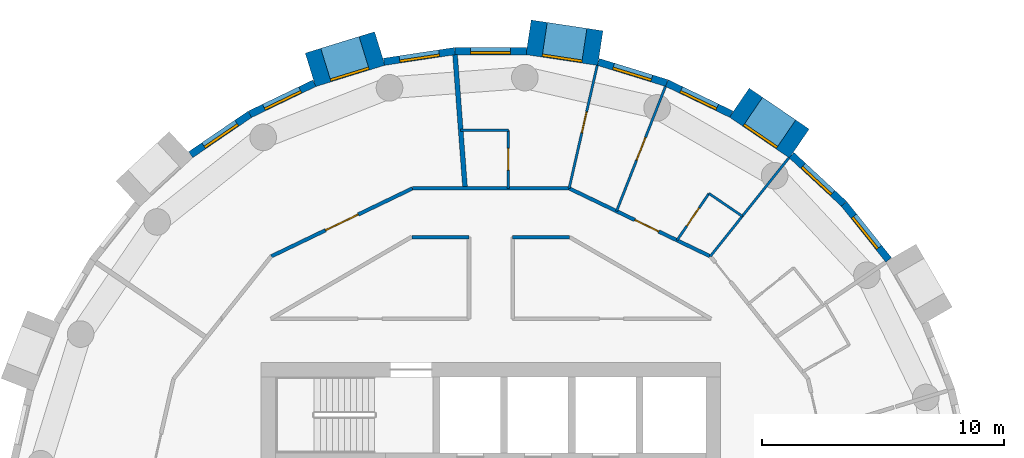
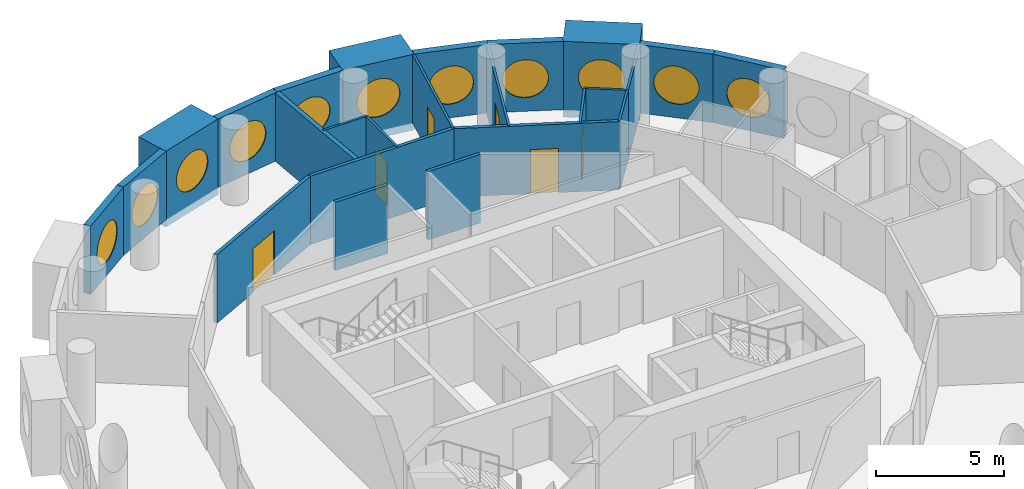
# One storey, part 11 of 13: 25 walls, 11 windows, 6 doors, 17 openings.
"""IFC4 building model written with IfcOpenShell, lengths in metres."""

from ifc_helpers import new_model, si_unit, direction, frame, frame_2d, origin, origin_2d, place, context, subcontext, project, spatial, rectangle, circle, extrude, material, layer, layer_set, type_object, element, fill, save


model = new_model("IFC4")

# Units and contexts
model_context = context("Model", 3, precision=1e-05, world=origin(), true_north=direction((0.0, 1.0)))
body_context = subcontext(model_context, "Body", "Model", "MODEL_VIEW")
ifc_project = project(units=[si_unit("LENGTHUNIT", "METRE"), si_unit("AREAUNIT", "SQUARE_METRE"), si_unit("VOLUMEUNIT", "CUBIC_METRE"), si_unit("PLANEANGLEUNIT", "RADIAN"), si_unit("MASSUNIT", "GRAM", prefix="KILO")], contexts=[model_context])

# Site, building, storey
site_placement = place(None, origin())
site = spatial("IfcSite", under=ifc_project, at=site_placement, CompositionType="ELEMENT")
building_placement = place(site_placement, origin())
building = spatial("IfcBuilding", under=site, at=building_placement, Name="Tracery Tower", CompositionType="ELEMENT")
storey_placement = place(building_placement, frame((0.0, 0.0, 256.199951171875)))
storey = spatial("IfcBuildingStorey", under=building, at=storey_placement, Name="L66", CompositionType="ELEMENT", Elevation=256.199951171875)

# Wall, opening, window
ifc_material_1 = material(Name="Precast concrete C50/60", Category="concrete")
ifc_layer_1 = layer(ifc_material_1, 1.449951171875)
ifc_layer_set_1 = layer_set([ifc_layer_1], Name="Deep-set bay unit 3000 x 3600, slab edge 350")
wall_type_1 = type_object("IfcWallType", Name="Deep-set bay unit 3000 x 3600, slab edge 350", PredefinedType="ELEMENTEDWALL", material=ifc_layer_set_1)
wall_1_placement = place(storey_placement, frame((12.754150390625, 16.044189453125, -0.349853515625), z_axis=(0.0, 0.0, 1.0), x_axis=(-0.826246281157, 0.563309047392, 0.0)))
wall_1 = element("IfcWall", 1, at=wall_1_placement, inside=storey, type_object=wall_type_1, Name="Deep-set bay unit 7 at L66", PredefinedType="ELEMENTEDWALL", context=body_context, shape_type="SweptSolid", body=[
    extrude(rectangle(XDim=3.0, YDim=1.449951171875, at=frame_2d((1.5, 0.0))), origin(), (0.0, 0.0, 1.0), 3.599853515625),
])
opening_1_placement = place(wall_1_placement, frame((1.5, 0.0, 1.89990234375)))
opening_1 = element("IfcOpeningElement", 2, at=opening_1_placement, cuts=wall_1, Name="Opening WN1", PredefinedType="OPENING", context=body_context, shape_type="SweptSolid", body=[
    extrude(circle(Radius=0.9000244140625, at=origin_2d()), frame((0.0, 0.73486328125, 0.0), z_axis=(0.0, -1.0, 0.0), x_axis=(1.0, 0.0, 0.0)), (0.0, 0.0, 1.0), 1.469970703125),
])
ifc_material_2 = material(Name="Aluminium frame with tinted double glazing", Category="aluminium")
window_type = type_object("IfcWindowType", Name="Round window 1800", PartitioningType="SINGLE_PANEL", PredefinedType="WINDOW", material=ifc_material_2)
window_1_placement = place(opening_1_placement, origin())
window_1 = element("IfcWindow", 3, at=window_1_placement, inside=storey, type_object=window_type, Name="Round window 7 at L66", OverallHeight=1.800048828125, OverallWidth=1.800048828125, PartitioningType="SINGLE_PANEL", PredefinedType="WINDOW", context=body_context, shape_type="SweptSolid", body=[
    extrude(circle(Radius=0.9000244140625, at=origin_2d()), frame((0.0, 0.69482421875, 0.0), z_axis=(0.0, -1.0, 0.0), x_axis=(1.0, 0.0, 0.0)), (0.0, 0.0, 1.0), 0.10009765625),
])
fill(opening_1, window_1)

wall_2_placement = place(storey_placement, frame((4.52978515625, 19.9892578125, -0.349853515625), z_axis=(0.0, 0.0, 1.0), x_axis=(-0.988836445254, 0.149004981587, 0.0)))
wall_2 = element("IfcWall", 4, at=wall_2_placement, inside=storey, type_object=wall_type_1, Name="Deep-set bay unit 10 at L66", PredefinedType="ELEMENTEDWALL", context=body_context, shape_type="SweptSolid", body=[
    extrude(rectangle(XDim=3.0, YDim=1.449951171875, at=frame_2d((1.5, 0.0))), origin(), (0.0, 0.0, 1.0), 3.599853515625),
])
opening_2_placement = place(wall_2_placement, frame((1.5, 0.0, 1.89990234375)))
opening_2 = element("IfcOpeningElement", 5, at=opening_2_placement, cuts=wall_2, Name="Opening WN1", PredefinedType="OPENING", context=body_context, shape_type="SweptSolid", body=[
    extrude(circle(Radius=0.9000244140625, at=origin_2d()), frame((0.0, 0.73486328125, 0.0), z_axis=(0.0, -1.0, 0.0), x_axis=(1.0, 0.0, 0.0)), (0.0, 0.0, 1.0), 1.469970703125),
])
window_2_placement = place(opening_2_placement, origin())
window_2 = element("IfcWindow", 6, at=window_2_placement, inside=storey, type_object=window_type, Name="Round window 10 at L66", OverallHeight=1.800048828125, OverallWidth=1.800048828125, PartitioningType="SINGLE_PANEL", PredefinedType="WINDOW", context=body_context, shape_type="SweptSolid", body=[
    extrude(circle(Radius=0.9000244140625, at=origin_2d()), frame((0.0, 0.69482421875, 0.0), z_axis=(0.0, -1.0, 0.0), x_axis=(1.0, 0.0, 0.0)), (0.0, 0.0, 1.0), 0.10009765625),
])
fill(opening_2, window_2)

wall_3_placement = place(storey_placement, frame((-4.591796875, 19.97509765625, -0.349853515625), z_axis=(0.0, 0.0, 1.0), x_axis=(-0.955571139978, -0.294760574774, 0.0)))
wall_3 = element("IfcWall", 7, at=wall_3_placement, inside=storey, type_object=wall_type_1, Name="Deep-set bay unit 13 at L66", PredefinedType="ELEMENTEDWALL", context=body_context, shape_type="SweptSolid", body=[
    extrude(rectangle(XDim=3.0, YDim=1.449951171875, at=frame_2d((1.5, 0.0))), origin(), (0.0, 0.0, 1.0), 3.599853515625),
])
opening_3_placement = place(wall_3_placement, frame((1.5, 0.0, 1.89990234375)))
opening_3 = element("IfcOpeningElement", 8, at=opening_3_placement, cuts=wall_3, Name="Opening WN1", PredefinedType="OPENING", context=body_context, shape_type="SweptSolid", body=[
    extrude(circle(Radius=0.9000244140625, at=origin_2d()), frame((0.0, 0.73486328125, 0.0), z_axis=(0.0, -1.0, 0.0), x_axis=(1.0, 0.0, 0.0)), (0.0, 0.0, 1.0), 1.469970703125),
])
window_3_placement = place(opening_3_placement, origin())
window_3 = element("IfcWindow", 9, at=window_3_placement, inside=storey, type_object=window_type, Name="Round window 13 at L66", OverallHeight=1.800048828125, OverallWidth=1.800048828125, PartitioningType="SINGLE_PANEL", PredefinedType="WINDOW", context=body_context, shape_type="SweptSolid", body=[
    extrude(circle(Radius=0.9000244140625, at=origin_2d()), frame((0.0, 0.69482421875, 0.0), z_axis=(0.0, -1.0, 0.0), x_axis=(1.0, 0.0, 0.0)), (0.0, 0.0, 1.0), 0.10009765625),
])
fill(opening_3, window_3)

ifc_material_3 = material(Name="Precast concrete C50/60", Category="concrete")
ifc_layer_2 = layer(ifc_material_3, 0.300048828125)
ifc_layer_set_2 = layer_set([ifc_layer_2], Name="Facade panel 3000 x 3250")
wall_type_2 = type_object("IfcWallType", Name="Facade panel 3000 x 3250", PredefinedType="SOLIDWALL", material=ifc_layer_set_2)
wall_4_placement = place(storey_placement, frame((16.45068359375, 11.234375, 0.0), z_axis=(0.0, 0.0, 1.0), x_axis=(-0.623498236992, 0.781824755599, 0.0)))
wall_4 = element("IfcWall", 10, at=wall_4_placement, inside=storey, type_object=wall_type_2, Name="Facade panel 5 at L66", PredefinedType="SOLIDWALL", context=body_context, shape_type="SweptSolid", body=[
    extrude(rectangle(XDim=2.962158203125, YDim=0.300048828125, at=frame_2d((1.48095703125, 0.0))), origin(), (0.0, 0.0, 1.0), 3.25),
])
opening_4_placement = place(wall_4_placement, frame((1.48095703125, 0.0, 1.5498046875)))
opening_4 = element("IfcOpeningElement", 11, at=opening_4_placement, cuts=wall_4, Name="Opening WN1", PredefinedType="OPENING", context=body_context, shape_type="SweptSolid", body=[
    extrude(circle(Radius=0.9000244140625, at=origin_2d()), frame((0.0, 0.159912109375, 0.0), z_axis=(0.0, -1.0, 0.0), x_axis=(1.0, 0.0, 0.0)), (0.0, 0.0, 1.0), 0.320068359375),
])
window_4_placement = place(opening_4_placement, origin())
window_4 = element("IfcWindow", 12, at=window_4_placement, inside=storey, type_object=window_type, Name="Round window 5 at L66", OverallHeight=1.800048828125, OverallWidth=1.800048828125, PartitioningType="SINGLE_PANEL", PredefinedType="WINDOW", context=body_context, shape_type="SweptSolid", body=[
    extrude(circle(Radius=0.9000244140625, at=origin_2d()), frame((0.0, 0.1201171875, 0.0), z_axis=(0.0, -1.0, 0.0), x_axis=(1.0, 0.0, 0.0)), (0.0, 0.0, 1.0), 0.10009765625),
])
fill(opening_4, window_4)

wall_5_placement = place(storey_placement, frame((14.603759765625, 13.55029296875, 0.0), z_axis=(0.0, 0.0, 1.0), x_axis=(-0.733066412643, 0.680157066165, 0.0)))
wall_5 = element("IfcWall", 13, at=wall_5_placement, inside=storey, type_object=wall_type_2, Name="Facade panel 6 at L66", PredefinedType="SOLIDWALL", context=body_context, shape_type="SweptSolid", body=[
    extrude(rectangle(XDim=2.96240234375, YDim=0.300048828125, at=frame_2d((1.481201171875, 0.0))), origin(), (0.0, 0.0, 1.0), 3.25),
])
opening_5_placement = place(wall_5_placement, frame((1.48095703125, 0.0, 1.5498046875)))
opening_5 = element("IfcOpeningElement", 14, at=opening_5_placement, cuts=wall_5, Name="Opening WN1", PredefinedType="OPENING", context=body_context, shape_type="SweptSolid", body=[
    extrude(circle(Radius=0.9000244140625, at=origin_2d()), frame((0.0, 0.159912109375, 0.0), z_axis=(0.0, -1.0, 0.0), x_axis=(1.0, 0.0, 0.0)), (0.0, 0.0, 1.0), 0.320068359375),
])
window_5_placement = place(opening_5_placement, origin())
window_5 = element("IfcWindow", 15, at=window_5_placement, inside=storey, type_object=window_type, Name="Round window 6 at L66", OverallHeight=1.800048828125, OverallWidth=1.800048828125, PartitioningType="SINGLE_PANEL", PredefinedType="WINDOW", context=body_context, shape_type="SweptSolid", body=[
    extrude(circle(Radius=0.9000244140625, at=origin_2d()), frame((0.0, 0.1201171875, 0.0), z_axis=(0.0, -1.0, 0.0), x_axis=(1.0, 0.0, 0.0)), (0.0, 0.0, 1.0), 0.10009765625),
])
fill(opening_5, window_5)

wall_6_placement = place(storey_placement, frame((9.947021484375, 17.25927734375, 0.0), z_axis=(0.0, 0.0, 1.0), x_axis=(-0.900939615635, 0.433944476838, 0.0)))
wall_6 = element("IfcWall", 16, at=wall_6_placement, inside=storey, type_object=wall_type_2, Name="Facade panel 8 at L66", PredefinedType="SOLIDWALL", context=body_context, shape_type="SweptSolid", body=[
    extrude(rectangle(XDim=2.962158203125, YDim=0.300048828125, at=frame_2d((1.48095703125, 0.0))), origin(), (0.0, 0.0, 1.0), 3.25),
])
opening_6_placement = place(wall_6_placement, frame((1.48095703125, 0.0, 1.5498046875)))
opening_6 = element("IfcOpeningElement", 17, at=opening_6_placement, cuts=wall_6, Name="Opening WN1", PredefinedType="OPENING", context=body_context, shape_type="SweptSolid", body=[
    extrude(circle(Radius=0.9000244140625, at=origin_2d()), frame((0.0, 0.159912109375, 0.0), z_axis=(0.0, -1.0, 0.0), x_axis=(1.0, 0.0, 0.0)), (0.0, 0.0, 1.0), 0.320068359375),
])
window_6_placement = place(opening_6_placement, origin())
window_6 = element("IfcWindow", 18, at=window_6_placement, inside=storey, type_object=window_type, Name="Round window 8 at L66", OverallHeight=1.800048828125, OverallWidth=1.800048828125, PartitioningType="SINGLE_PANEL", PredefinedType="WINDOW", context=body_context, shape_type="SweptSolid", body=[
    extrude(circle(Radius=0.9000244140625, at=origin_2d()), frame((0.0, 0.1201171875, 0.0), z_axis=(0.0, -1.0, 0.0), x_axis=(1.0, 0.0, 0.0)), (0.0, 0.0, 1.0), 0.10009765625),
])
fill(opening_6, window_6)

wall_7_placement = place(storey_placement, frame((7.2783203125, 18.544677734375, 0.0), z_axis=(0.0, 0.0, 1.0), x_axis=(-0.95558635705, 0.294711238707, 0.0)))
wall_7 = element("IfcWall", 19, at=wall_7_placement, inside=storey, type_object=wall_type_2, Name="Facade panel 9 at L66", PredefinedType="SOLIDWALL", context=body_context, shape_type="SweptSolid", body=[
    extrude(rectangle(XDim=2.96240234375, YDim=0.300048828125, at=frame_2d((1.481201171875, 0.0))), origin(), (0.0, 0.0, 1.0), 3.25),
])
opening_7_placement = place(wall_7_placement, frame((1.48095703125, 0.0, 1.5498046875)))
opening_7 = element("IfcOpeningElement", 20, at=opening_7_placement, cuts=wall_7, Name="Opening WN1", PredefinedType="OPENING", context=body_context, shape_type="SweptSolid", body=[
    extrude(circle(Radius=0.9000244140625, at=origin_2d()), frame((0.0, 0.159912109375, 0.0), z_axis=(0.0, -1.0, 0.0), x_axis=(1.0, 0.0, 0.0)), (0.0, 0.0, 1.0), 0.320068359375),
])
window_7_placement = place(opening_7_placement, origin())
window_7 = element("IfcWindow", 21, at=window_7_placement, inside=storey, type_object=window_type, Name="Round window 9 at L66", OverallHeight=1.800048828125, OverallWidth=1.800048828125, PartitioningType="SINGLE_PANEL", PredefinedType="WINDOW", context=body_context, shape_type="SweptSolid", body=[
    extrude(circle(Radius=0.9000244140625, at=origin_2d()), frame((0.0, 0.1201171875, 0.0), z_axis=(0.0, -1.0, 0.0), x_axis=(1.0, 0.0, 0.0)), (0.0, 0.0, 1.0), 0.10009765625),
])
fill(opening_7, window_7)

wall_8_placement = place(storey_placement, frame((1.473388671875, 19.865966796875, 0.0), z_axis=(0.0, 0.0, 1.0), x_axis=(-1.0, 0.0, 0.0)))
wall_8 = element("IfcWall", 22, at=wall_8_placement, inside=storey, type_object=wall_type_2, Name="Facade panel 11 at L66", PredefinedType="SOLIDWALL", context=body_context, shape_type="SweptSolid", body=[
    extrude(rectangle(XDim=2.962158203125, YDim=0.300048828125, at=frame_2d((1.48095703125, 0.0))), origin(), (0.0, 0.0, 1.0), 3.25),
])
opening_8_placement = place(wall_8_placement, frame((1.48095703125, 0.0, 1.5498046875)))
opening_8 = element("IfcOpeningElement", 23, at=opening_8_placement, cuts=wall_8, Name="Opening WN1", PredefinedType="OPENING", context=body_context, shape_type="SweptSolid", body=[
    extrude(circle(Radius=0.9000244140625, at=origin_2d()), frame((0.0, 0.159912109375, 0.0), z_axis=(0.0, -1.0, 0.0), x_axis=(1.0, 0.0, 0.0)), (0.0, 0.0, 1.0), 0.320068359375),
])
window_8_placement = place(opening_8_placement, origin())
window_8 = element("IfcWindow", 24, at=window_8_placement, inside=storey, type_object=window_type, Name="Round window 11 at L66", OverallHeight=1.800048828125, OverallWidth=1.800048828125, PartitioningType="SINGLE_PANEL", PredefinedType="WINDOW", context=body_context, shape_type="SweptSolid", body=[
    extrude(circle(Radius=0.9000244140625, at=origin_2d()), frame((0.0, 0.1201171875, 0.0), z_axis=(0.0, -1.0, 0.0), x_axis=(1.0, 0.0, 0.0)), (0.0, 0.0, 1.0), 0.10009765625),
])
fill(opening_8, window_8)

wall_9_placement = place(storey_placement, frame((-1.48876953125, 19.865966796875, 0.0), z_axis=(0.0, 0.0, 1.0), x_axis=(-0.988835775663, -0.149009425104, 0.0)))
wall_9 = element("IfcWall", 25, at=wall_9_placement, inside=storey, type_object=wall_type_2, Name="Facade panel 12 at L66", PredefinedType="SOLIDWALL", context=body_context, shape_type="SweptSolid", body=[
    extrude(rectangle(XDim=2.962158203125, YDim=0.300048828125, at=frame_2d((1.48095703125, 0.0))), origin(), (0.0, 0.0, 1.0), 3.25),
])
opening_9_placement = place(wall_9_placement, frame((1.48095703125, 0.0, 1.5498046875)))
opening_9 = element("IfcOpeningElement", 26, at=opening_9_placement, cuts=wall_9, Name="Opening WN1", PredefinedType="OPENING", context=body_context, shape_type="SweptSolid", body=[
    extrude(circle(Radius=0.9000244140625, at=origin_2d()), frame((0.0, 0.159912109375, 0.0), z_axis=(0.0, -1.0, 0.0), x_axis=(1.0, 0.0, 0.0)), (0.0, 0.0, 1.0), 0.320068359375),
])
window_9_placement = place(opening_9_placement, origin())
window_9 = element("IfcWindow", 27, at=window_9_placement, inside=storey, type_object=window_type, Name="Round window 12 at L66", OverallHeight=1.800048828125, OverallWidth=1.800048828125, PartitioningType="SINGLE_PANEL", PredefinedType="WINDOW", context=body_context, shape_type="SweptSolid", body=[
    extrude(circle(Radius=0.9000244140625, at=origin_2d()), frame((0.0, 0.1201171875, 0.0), z_axis=(0.0, -1.0, 0.0), x_axis=(1.0, 0.0, 0.0)), (0.0, 0.0, 1.0), 0.10009765625),
])
fill(opening_9, window_9)

wall_10_placement = place(storey_placement, frame((-7.2919921875, 18.5380859375, 0.0), z_axis=(0.0, 0.0, 1.0), x_axis=(-0.90095513435, -0.433912255978, 0.0)))
wall_10 = element("IfcWall", 28, at=wall_10_placement, inside=storey, type_object=wall_type_2, Name="Facade panel 14 at L66", PredefinedType="SOLIDWALL", context=body_context, shape_type="SweptSolid", body=[
    extrude(rectangle(XDim=2.96240234375, YDim=0.300048828125, at=frame_2d((1.481201171875, 0.0))), origin(), (0.0, 0.0, 1.0), 3.25),
])
opening_10_placement = place(wall_10_placement, frame((1.48095703125, 0.0, 1.5498046875)))
opening_10 = element("IfcOpeningElement", 29, at=opening_10_placement, cuts=wall_10, Name="Opening WN1", PredefinedType="OPENING", context=body_context, shape_type="SweptSolid", body=[
    extrude(circle(Radius=0.9000244140625, at=origin_2d()), frame((0.0, 0.159912109375, 0.0), z_axis=(0.0, -1.0, 0.0), x_axis=(1.0, 0.0, 0.0)), (0.0, 0.0, 1.0), 0.320068359375),
])
window_10_placement = place(opening_10_placement, origin())
window_10 = element("IfcWindow", 30, at=window_10_placement, inside=storey, type_object=window_type, Name="Round window 14 at L66", OverallHeight=1.800048828125, OverallWidth=1.800048828125, PartitioningType="SINGLE_PANEL", PredefinedType="WINDOW", context=body_context, shape_type="SweptSolid", body=[
    extrude(circle(Radius=0.9000244140625, at=origin_2d()), frame((0.0, 0.1201171875, 0.0), z_axis=(0.0, -1.0, 0.0), x_axis=(1.0, 0.0, 0.0)), (0.0, 0.0, 1.0), 0.10009765625),
])
fill(opening_10, window_10)

wall_11_placement = place(storey_placement, frame((-9.9609375, 17.252685546875, 0.0), z_axis=(0.0, 0.0, 1.0), x_axis=(-0.826236061068, -0.563324037646, 0.0)))
wall_11 = element("IfcWall", 31, at=wall_11_placement, inside=storey, type_object=wall_type_2, Name="Facade panel 15 at L66", PredefinedType="SOLIDWALL", context=body_context, shape_type="SweptSolid", body=[
    extrude(rectangle(XDim=2.962158203125, YDim=0.300048828125, at=frame_2d((1.48095703125, 0.0))), origin(), (0.0, 0.0, 1.0), 3.25),
])
opening_11_placement = place(wall_11_placement, frame((1.48095703125, 0.0, 1.5498046875)))
opening_11 = element("IfcOpeningElement", 32, at=opening_11_placement, cuts=wall_11, Name="Opening WN1", PredefinedType="OPENING", context=body_context, shape_type="SweptSolid", body=[
    extrude(circle(Radius=0.9000244140625, at=origin_2d()), frame((0.0, 0.159912109375, 0.0), z_axis=(0.0, -1.0, 0.0), x_axis=(1.0, 0.0, 0.0)), (0.0, 0.0, 1.0), 0.320068359375),
])
window_11_placement = place(opening_11_placement, origin())
window_11 = element("IfcWindow", 33, at=window_11_placement, inside=storey, type_object=window_type, Name="Round window 15 at L66", OverallHeight=1.800048828125, OverallWidth=1.800048828125, PartitioningType="SINGLE_PANEL", PredefinedType="WINDOW", context=body_context, shape_type="SweptSolid", body=[
    extrude(circle(Radius=0.9000244140625, at=origin_2d()), frame((0.0, 0.1201171875, 0.0), z_axis=(0.0, -1.0, 0.0), x_axis=(1.0, 0.0, 0.0)), (0.0, 0.0, 1.0), 0.10009765625),
])
fill(opening_11, window_11)

# Wall, opening, door
ifc_material_4 = material(Name="Plasterboard on steel studs", Category="steel")
ifc_layer_3 = layer(ifc_material_4, 0.10009765625)
ifc_layer_set_3 = layer_set([ifc_layer_3], Name="Partition 100 stud")
wall_type_3 = type_object("IfcWallType", Name="Partition 100 stud", PredefinedType="PARTITIONING", material=ifc_layer_set_3)
wall_12_placement = place(storey_placement, frame((5.198974609375, 13.248046875, 0.0), z_axis=(0.0, 0.0, 1.0), x_axis=(0.365334662456, 0.930876245485, 0.0)))
wall_12 = element("IfcWall", 34, at=wall_12_placement, inside=storey, type_object=wall_type_3, Name="Stud partition RC3-057", PredefinedType="PARTITIONING", context=body_context, shape_type="SweptSolid", body=[
    extrude(rectangle(XDim=5.5400390625, YDim=0.10009765625, at=frame_2d((2.77001953125, 0.0))), origin(), (0.0, 0.0, 1.0), 3.25),
])
opening_12_placement = place(wall_12_placement, frame((2.27001953125, 0.0, 0.0)))
opening_12 = element("IfcOpeningElement", 35, at=opening_12_placement, cuts=wall_12, Name="Opening RC3-10", PredefinedType="OPENING", context=body_context, shape_type="SweptSolid", body=[
    extrude(rectangle(XDim=1.0, YDim=2.0400390625, at=frame_2d((0.5, 1.02001953125))), frame((0.0, 0.050048828125, 0.0), z_axis=(0.0, -1.0, 0.0), x_axis=(1.0, 0.0, 0.0)), (0.0, 0.0, 1.0), 0.10009765625),
])
ifc_material_5 = material(Name="Timber door leaf", Category="wood")
door_type_1 = type_object("IfcDoorType", Name="Door communal room 1000", OperationType="NOTDEFINED", PredefinedType="DOOR", material=ifc_material_5)
door_1_placement = place(opening_12_placement, origin())
door_1 = element("IfcDoor", 36, at=door_1_placement, inside=storey, type_object=door_type_1, Name="Communal room door RC3-10", OperationType="SINGLE_SWING_RIGHT", OverallHeight=2.0400390625, OverallWidth=1.0, PredefinedType="DOOR", context=body_context, shape_type="SweptSolid", body=[
    extrude(rectangle(XDim=1.0, YDim=2.0400390625, at=frame_2d((0.5, 1.02001953125))), frame((0.0, 0.02490234375, 0.0), z_axis=(0.0, -1.0, 0.0), x_axis=(1.0, 0.0, 0.0)), (0.0, 0.0, 1.0), 0.050048828125),
])
fill(opening_12, door_1)

# Wall
wall_13_placement = place(storey_placement, frame((10.39892578125, 13.0400390625, 0.0), z_axis=(0.0, 0.0, 1.0), x_axis=(0.62343302941, 0.781876753613, 0.0)))
element("IfcWall", 37, at=wall_13_placement, inside=storey, type_object=wall_type_3, Name="Stud partition RC3-060", PredefinedType="PARTITIONING", context=body_context, shape_type="SweptSolid", body=[
    extrude(rectangle(XDim=3.092529296875, YDim=0.10009765625, at=frame_2d((1.54638671875, 0.0))), origin(), (0.0, 0.0, 1.0), 3.25),
])

# Wall, opening, door
wall_14_placement = place(storey_placement, frame((3.239013671875, 14.19189453125, 0.0), z_axis=(0.0, 0.0, 1.0), x_axis=(0.222612505682, 0.974907007008, 0.0)))
wall_14 = element("IfcWall", 38, at=wall_14_placement, inside=storey, type_object=wall_type_3, Name="Stud partition RC3-061", PredefinedType="PARTITIONING", context=body_context, shape_type="SweptSolid", body=[
    extrude(rectangle(XDim=5.21484375, YDim=0.10009765625, at=frame_2d((2.607421875, 0.0))), origin(), (0.0, 0.0, 1.0), 3.25),
])
opening_13_placement = place(wall_14_placement, frame((2.35302734375, 0.0, 0.0)))
opening_13 = element("IfcOpeningElement", 39, at=opening_13_placement, cuts=wall_14, Name="Opening RC3-14", PredefinedType="OPENING", context=body_context, shape_type="SweptSolid", body=[
    extrude(rectangle(XDim=0.89990234375, YDim=2.10009765625, at=frame_2d((0.449951171875, 1.050048828125))), frame((0.0, 0.050048828125, 0.0), z_axis=(0.0, -1.0, 0.0), x_axis=(1.0, 0.0, 0.0)), (0.0, 0.0, 1.0), 0.10009765625),
])
ifc_material_6 = material(Name="Timber door leaf", Category="wood")
door_type_2 = type_object("IfcDoorType", Name="Door bedroom 900", OperationType="NOTDEFINED", PredefinedType="DOOR", material=ifc_material_6)
door_2_placement = place(opening_13_placement, origin())
door_2 = element("IfcDoor", 40, at=door_2_placement, inside=storey, type_object=door_type_2, Name="Bedroom door RC3-14", OperationType="SINGLE_SWING_RIGHT", OverallHeight=2.10009765625, OverallWidth=0.89990234375, PredefinedType="DOOR", context=body_context, shape_type="SweptSolid", body=[
    extrude(rectangle(XDim=0.89990234375, YDim=2.10009765625, at=frame_2d((0.449951171875, 1.050048828125))), frame((0.0, 0.02490234375, 0.0), z_axis=(0.0, -1.0, 0.0), x_axis=(1.0, 0.0, 0.0)), (0.0, 0.0, 1.0), 0.050048828125),
])
fill(opening_13, door_2)

# Wall
ifc_material_7 = material(Name="Plasterboard on steel studs", Category="steel")
ifc_layer_4 = layer(ifc_material_7, 0.10009765625)
ifc_layer_set_4 = layer_set([ifc_layer_4], Name="Partition 100 wet wall")
wall_type_4 = type_object("IfcWallType", Name="Partition 100 wet wall", PredefinedType="PARTITIONING", material=ifc_layer_set_4)
wall_15_placement = place(storey_placement, frame((9.02001953125, 13.97998046875, 0.0), z_axis=(0.0, 0.0, 1.0), x_axis=(0.826289240924, -0.563246030021, 0.0)))
element("IfcWall", 41, at=wall_15_placement, inside=storey, type_object=wall_type_4, Name="Wet wall RC3-058", PredefinedType="PARTITIONING", context=body_context, shape_type="SweptSolid", body=[
    extrude(rectangle(XDim=1.668701171875, YDim=0.10009765625, at=frame_2d((0.83447265625, 0.0))), origin(), (0.0, 0.0, 1.0), 3.25),
])

# Wall, opening, door
wall_16_placement = place(storey_placement, frame((7.699951171875, 12.0439453125, 0.0), z_axis=(0.0, 0.0, 1.0), x_axis=(0.563349756349, 0.826218525586, 0.0)))
wall_16 = element("IfcWall", 42, at=wall_16_placement, inside=storey, type_object=wall_type_4, Name="Wet wall RC3-059", PredefinedType="PARTITIONING", context=body_context, shape_type="SweptSolid", body=[
    extrude(rectangle(XDim=2.34326171875, YDim=0.10009765625, at=frame_2d((1.171630859375, 0.0))), origin(), (0.0, 0.0, 1.0), 3.25),
])
opening_14_placement = place(wall_16_placement, frame((0.72119140625, 0.0, 0.0)))
opening_14 = element("IfcOpeningElement", 43, at=opening_14_placement, cuts=wall_16, Name="Opening RC3-11", PredefinedType="OPENING", context=body_context, shape_type="SweptSolid", body=[
    extrude(rectangle(XDim=0.89990234375, YDim=2.0, at=frame_2d((0.449951171875, 1.0))), frame((0.0, 0.050048828125, 0.0), z_axis=(0.0, -1.0, 0.0), x_axis=(1.0, 0.0, 0.0)), (0.0, 0.0, 1.0), 0.10009765625),
])
ifc_material_8 = material(Name="Timber door leaf", Category="wood")
door_type_3 = type_object("IfcDoorType", Name="Door shower room 900", OperationType="NOTDEFINED", PredefinedType="DOOR", material=ifc_material_8)
door_3_placement = place(opening_14_placement, origin())
door_3 = element("IfcDoor", 44, at=door_3_placement, inside=storey, type_object=door_type_3, Name="Shower room door RC3-11", OperationType="SINGLE_SWING_RIGHT", OverallHeight=2.0, OverallWidth=0.89990234375, PredefinedType="DOOR", context=body_context, shape_type="SweptSolid", body=[
    extrude(rectangle(XDim=0.89990234375, YDim=2.0, at=frame_2d((0.449951171875, 1.0))), frame((0.0, 0.02490234375, 0.0), z_axis=(0.0, -1.0, 0.0), x_axis=(1.0, 0.0, 0.0)), (0.0, 0.0, 1.0), 0.050048828125),
])
fill(opening_14, door_3)

# Wall
wall_17_placement = place(storey_placement, frame((9.075927734375, 11.381103515625, 0.0), z_axis=(0.0, 0.0, 1.0), x_axis=(0.623501640025, 0.781822041699, 0.0)))
element("IfcWall", 45, at=wall_17_placement, inside=storey, type_object=wall_type_4, Name="Wet wall RC3-062", PredefinedType="PARTITIONING", context=body_context, shape_type="SweptSolid", body=[
    extrude(rectangle(XDim=2.121826171875, YDim=0.10009765625, at=frame_2d((1.06103515625, 0.0))), origin(), (0.0, 0.0, 1.0), 3.25),
])

# Wall, opening, door
wall_18_placement = place(storey_placement, frame((0.721923828125, 14.19189453125, 0.0), z_axis=(0.0, 0.0, 1.0), x_axis=(0.0, 1.0, 0.0)))
wall_18 = element("IfcWall", 46, at=wall_18_placement, inside=storey, type_object=wall_type_4, Name="Wet wall RC3-065", PredefinedType="PARTITIONING", context=body_context, shape_type="SweptSolid", body=[
    extrude(rectangle(XDim=2.400146484375, YDim=0.10009765625, at=frame_2d((1.2001953125, 0.0))), origin(), (0.0, 0.0, 1.0), 3.25),
])
opening_15_placement = place(wall_18_placement, frame((0.75, 0.0, 0.0)))
opening_15 = element("IfcOpeningElement", 47, at=opening_15_placement, cuts=wall_18, Name="Opening RC3-15", PredefinedType="OPENING", context=body_context, shape_type="SweptSolid", body=[
    extrude(rectangle(XDim=0.89990234375, YDim=2.0400390625, at=frame_2d((0.449951171875, 1.02001953125))), frame((0.0, 0.050048828125, 0.0), z_axis=(0.0, -1.0, 0.0), x_axis=(1.0, 0.0, 0.0)), (0.0, 0.0, 1.0), 0.10009765625),
])
ifc_material_9 = material(Name="Timber door leaf", Category="wood")
door_type_4 = type_object("IfcDoorType", Name="Door en-suite 900", OperationType="NOTDEFINED", PredefinedType="DOOR", material=ifc_material_9)
door_4_placement = place(opening_15_placement, origin())
door_4 = element("IfcDoor", 48, at=door_4_placement, inside=storey, type_object=door_type_4, Name="En-suite door RC3-15", OperationType="SINGLE_SWING_RIGHT", OverallHeight=2.0400390625, OverallWidth=0.89990234375, PredefinedType="DOOR", context=body_context, shape_type="SweptSolid", body=[
    extrude(rectangle(XDim=0.89990234375, YDim=2.0400390625, at=frame_2d((0.449951171875, 1.02001953125))), frame((0.0, 0.02490234375, 0.0), z_axis=(0.0, -1.0, 0.0), x_axis=(1.0, 0.0, 0.0)), (0.0, 0.0, 1.0), 0.050048828125),
])
fill(opening_15, door_4)

# Walls
wall_19_placement = place(storey_placement, frame((-1.242919921875, 16.592041015625, 0.0), z_axis=(0.0, 0.0, 1.0), x_axis=(1.0, 0.0, 0.0)))
element("IfcWall", 49, at=wall_19_placement, inside=storey, type_object=wall_type_4, Name="Wet wall RC3-066", PredefinedType="PARTITIONING", context=body_context, shape_type="SweptSolid", body=[
    extrude(rectangle(XDim=1.96484375, YDim=0.10009765625, at=frame_2d((0.982421875, 0.0))), origin(), (0.0, 0.0, 1.0), 3.25),
])
ifc_material_10 = material(Name="Plasterboard on steel studs", Category="steel")
ifc_layer_5 = layer(ifc_material_10, 0.14990234375)
ifc_layer_set_5 = layer_set([ifc_layer_5], Name="Partition 150 corridor wall")
wall_type_5 = type_object("IfcWallType", Name="Partition 150 corridor wall", PredefinedType="PARTITIONING", material=ifc_layer_set_5)
for number, where, z_axis, x_axis, name in (
    (50, (-3.260986328125, 12.1708984375, 0.0), (0.0, 0.0, 1.0), (1.0, 0.0, 0.0), "Corridor wall RC3-027"),
    (51, (0.89990234375, 12.1708984375, 0.0), (0.0, 0.0, 1.0), (1.0, 0.0, 0.0), "Corridor wall RC3-029"),
):
    element("IfcWall", number, at=place(storey_placement, frame(where, z_axis=z_axis, x_axis=x_axis)), inside=storey, type_object=wall_type_5, Name=name, PredefinedType="PARTITIONING", context=body_context, shape_type="SweptSolid", body=[
        extrude(rectangle(XDim=2.361083984375, YDim=0.14990234375, at=frame_2d((1.1806640625, 0.0))), origin(), (0.0, 0.0, 1.0), 3.25),
    ])

# Wall, opening, door
wall_20_placement = place(storey_placement, frame((3.239013671875, 14.192138671875, 0.0), z_axis=(0.0, 0.0, 1.0), x_axis=(0.90093183072, -0.433960639224, 0.0)))
wall_20 = element("IfcWall", 52, at=wall_20_placement, inside=storey, type_object=wall_type_5, Name="Corridor wall RC3-031", PredefinedType="PARTITIONING", context=body_context, shape_type="SweptSolid", body=[
    extrude(rectangle(XDim=6.478759765625, YDim=0.14990234375, at=frame_2d((3.2392578125, 0.0))), origin(), (0.0, 0.0, 1.0), 3.25),
])
opening_16_placement = place(wall_20_placement, frame((3.012939453125, 0.0, 0.0)))
opening_16 = element("IfcOpeningElement", 53, at=opening_16_placement, cuts=wall_20, Name="Opening RC3-09", PredefinedType="OPENING", context=body_context, shape_type="SweptSolid", body=[
    extrude(rectangle(XDim=1.10009765625, YDim=2.10009765625, at=frame_2d((0.550048828125, 1.050048828125))), frame((0.0, 0.074951171875, 0.0), z_axis=(0.0, -1.0, 0.0), x_axis=(1.0, 0.0, 0.0)), (0.0, 0.0, 1.0), 0.14990234375),
])
ifc_material_11 = material(Name="Timber door leaf", Category="wood")
door_type_5 = type_object("IfcDoorType", Name="Door cluster entrance 1100", OperationType="NOTDEFINED", PredefinedType="DOOR", material=ifc_material_11)
door_5_placement = place(opening_16_placement, origin())
door_5 = element("IfcDoor", 54, at=door_5_placement, inside=storey, type_object=door_type_5, Name="Cluster entrance door RC3-09", OperationType="SINGLE_SWING_RIGHT", OverallHeight=2.10009765625, OverallWidth=1.10009765625, PredefinedType="DOOR", context=body_context, shape_type="SweptSolid", body=[
    extrude(rectangle(XDim=1.10009765625, YDim=2.10009765625, at=frame_2d((0.550048828125, 1.050048828125))), frame((0.0, 0.02490234375, 0.0), z_axis=(0.0, -1.0, 0.0), x_axis=(1.0, 0.0, 0.0)), (0.0, 0.0, 1.0), 0.050048828125),
])
fill(opening_16, door_5)

# Wall
wall_21_placement = place(storey_placement, frame((-3.239013671875, 14.19189453125, 0.0), z_axis=(0.0, 0.0, 1.0), x_axis=(1.0, 0.0, 0.0)))
element("IfcWall", 55, at=wall_21_placement, inside=storey, type_object=wall_type_5, Name="Corridor wall RC3-032", PredefinedType="PARTITIONING", context=body_context, shape_type="SweptSolid", body=[
    extrude(rectangle(XDim=6.47802734375, YDim=0.14990234375, at=frame_2d((3.239013671875, 0.0))), origin(), (0.0, 0.0, 1.0), 3.25),
])

# Wall, opening, door
wall_22_placement = place(storey_placement, frame((-9.075927734375, 11.381103515625, 0.0), z_axis=(0.0, 0.0, 1.0), x_axis=(0.900976027191, 0.433868872388, 0.0)))
wall_22 = element("IfcWall", 56, at=wall_22_placement, inside=storey, type_object=wall_type_5, Name="Corridor wall RC3-033", PredefinedType="PARTITIONING", context=body_context, shape_type="SweptSolid", body=[
    extrude(rectangle(XDim=6.478515625, YDim=0.14990234375, at=frame_2d((3.2392578125, 0.0))), origin(), (0.0, 0.0, 1.0), 3.25),
])
opening_17_placement = place(wall_22_placement, frame((2.489013671875, 0.0, 0.0)))
opening_17 = element("IfcOpeningElement", 57, at=opening_17_placement, cuts=wall_22, Name="Opening RC3-16", PredefinedType="OPENING", context=body_context, shape_type="SweptSolid", body=[
    extrude(rectangle(XDim=1.5, YDim=2.10009765625, at=frame_2d((0.75, 1.050048828125))), frame((0.0, 0.074951171875, 0.0), z_axis=(0.0, -1.0, 0.0), x_axis=(1.0, 0.0, 0.0)), (0.0, 0.0, 1.0), 0.14990234375),
])
ifc_material_12 = material(Name="Timber door leaf", Category="wood")
door_type_6 = type_object("IfcDoorType", Name="Door double kitchen 1500", OperationType="NOTDEFINED", PredefinedType="DOOR", material=ifc_material_12)
door_6_placement = place(opening_17_placement, origin())
door_6 = element("IfcDoor", 58, at=door_6_placement, inside=storey, type_object=door_type_6, Name="Double kitchen door RC3-16", OperationType="DOUBLE_DOOR_SINGLE_SWING", OverallHeight=2.10009765625, OverallWidth=1.5, PredefinedType="DOOR", context=body_context, shape_type="SweptSolid", body=[
    extrude(rectangle(XDim=1.5, YDim=2.10009765625, at=frame_2d((0.75, 1.050048828125))), frame((0.0, 0.02490234375, 0.0), z_axis=(0.0, -1.0, 0.0), x_axis=(1.0, 0.0, 0.0)), (0.0, 0.0, 1.0), 0.050048828125),
])
fill(opening_17, door_6)

# Wall
ifc_material_13 = material(Name="Plasterboard on steel studs", Category="steel")
ifc_layer_6 = layer(ifc_material_13, 0.199951171875)
ifc_layer_set_6 = layer_set([ifc_layer_6], Name="Partition 200 compartment wall")
wall_type_6 = type_object("IfcWallType", Name="Partition 200 compartment wall", PredefinedType="PARTITIONING", material=ifc_layer_set_6)
wall_23_placement = place(storey_placement, frame((-1.47802734375, 19.716064453125, 0.0), z_axis=(0.0, 0.0, 1.0), x_axis=(0.075011267216, -0.997182686267, 0.0)))
element("IfcWall", 59, at=wall_23_placement, inside=storey, type_object=wall_type_6, Name="Compartment wall RC3-067", PredefinedType="PARTITIONING", context=body_context, shape_type="SweptSolid", body=[
    extrude(rectangle(XDim=5.53955078125, YDim=0.199951171875, at=frame_2d((2.769775390625, 0.0))), origin(), (0.0, 0.0, 1.0), 3.25),
])

save(model, "model.ifc")
